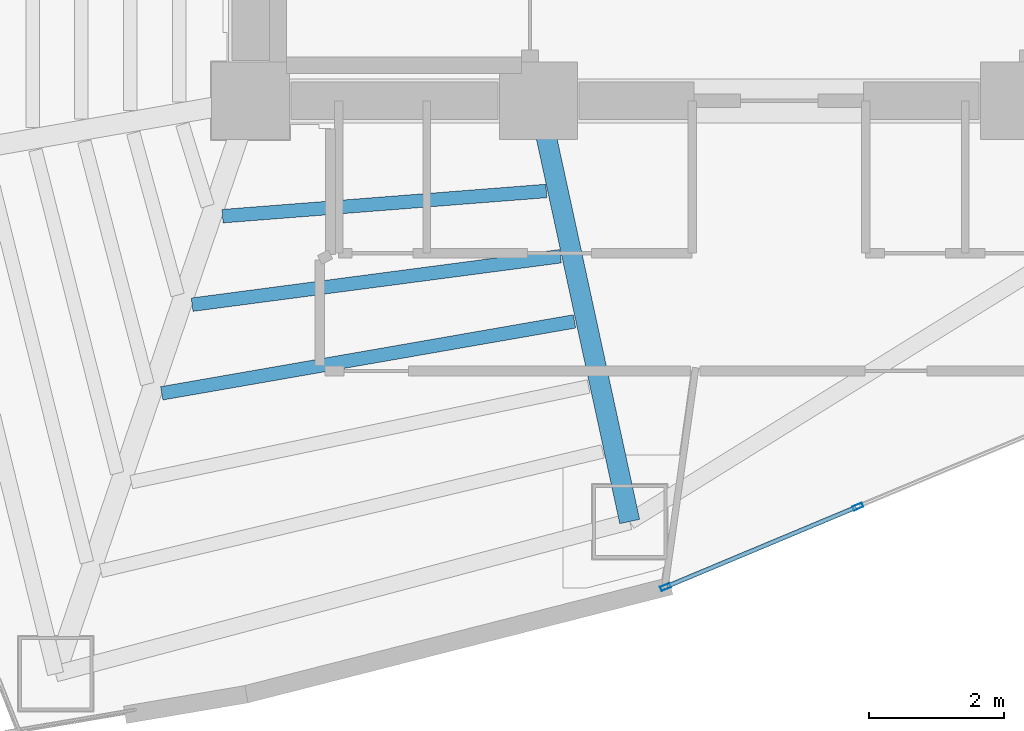
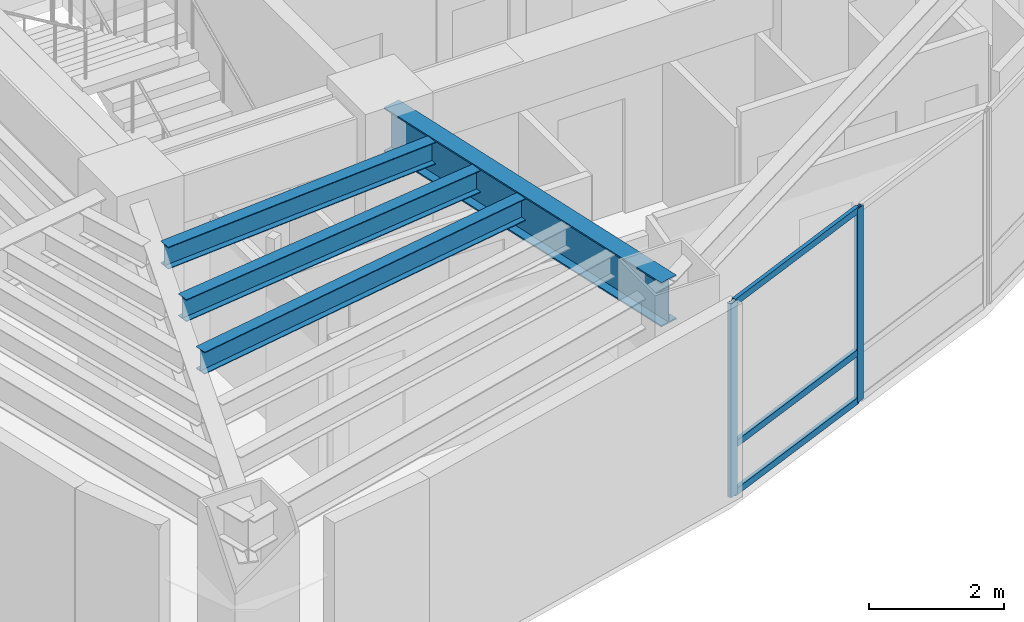
# One storey, part 2 of 15: 5 members, 4 beams, 1 element without a shape of its own.
"""IFC4 building model written with IfcOpenShell, lengths in metres."""

from ifc_helpers import new_model, si_unit, direction, frame, origin, origin_2d, place, context, subcontext, project, spatial, hollow_rectangle, i_section, extrude, material, layer, layer_set, material_profile, profile_set, type_object, element, aggregate, save


model = new_model("IFC4")

# Units and contexts
model_context = context("Model", 3, precision=1e-05, world=origin(), true_north=direction((0.0, 1.0)))
body_context = subcontext(model_context, "Body", "Model", "MODEL_VIEW")
ifc_project = project(units=[si_unit("LENGTHUNIT", "METRE"), si_unit("AREAUNIT", "SQUARE_METRE"), si_unit("VOLUMEUNIT", "CUBIC_METRE"), si_unit("PLANEANGLEUNIT", "RADIAN"), si_unit("MASSUNIT", "GRAM", prefix="KILO")], contexts=[model_context])

# Site, building, storey
site_placement = place(None, origin())
site = spatial("IfcSite", under=ifc_project, at=site_placement, CompositionType="ELEMENT")
building_placement = place(site_placement, origin())
building = spatial("IfcBuilding", under=site, at=building_placement, Name="Menara Vayukalpa", CompositionType="ELEMENT")
storey_placement = place(building_placement, frame((0.0, 0.0, 141.179931640625)))
storey = spatial("IfcBuildingStorey", under=building, at=storey_placement, Name="L35", CompositionType="ELEMENT", Elevation=141.179931640625)

# Beams
ifc_material_1 = material(Name="Steel S355", Category="steel")
ifc_material_profile_1 = material_profile(ifc_material_1, i_section(OverallWidth=0.300048828125, OverallDepth=0.800048828125, WebThickness=0.013916015625, FlangeThickness=0.02587890625, at=origin_2d()), Name="WF 800x300x14x26")
ifc_profile_set_1 = profile_set([ifc_material_profile_1], Name="Steel S355")
beam_type_1 = type_object("IfcBeamType", Name="BM-PG3", PredefinedType="BEAM", material=ifc_profile_set_1)
beam_1_placement = place(storey_placement, frame((22.10302734375, 16.955810546875, 3.10009765625), z_axis=(0.211898459532, -0.9772916877, 0.0), x_axis=(0.9772916877, 0.211898459532, 0.0)))
element("IfcBeam", 1, at=beam_1_placement, inside=storey, type_object=beam_type_1, Name="L35 Primary Radial Girder RG08", PredefinedType="BEAM", context=body_context, shape_type="SweptSolid", body=[
    extrude(i_section(OverallWidth=0.300048828125, OverallDepth=0.800048828125, WebThickness=0.013916015625, FlangeThickness=0.02587890625, at=origin_2d()), origin(), (0.0, 0.0, 1.0), 6.1064453125),
])
ifc_material_2 = material(Name="Steel S355", Category="steel")
ifc_material_profile_2 = material_profile(ifc_material_2, i_section(OverallWidth=0.199951171875, OverallDepth=0.39990234375, WebThickness=0.008056640625, FlangeThickness=0.012939453125, at=origin_2d()), Name="WF 400x200x8x13")
ifc_profile_set_2 = profile_set([ifc_material_profile_2], Name="Steel S355")
beam_type_2 = type_object("IfcBeamType", Name="BM-SJ2", PredefinedType="JOIST", material=ifc_profile_set_2)
beam_2_placement = place(storey_placement, frame((17.38525390625, 15.49609375, 3.300048828125), z_axis=(0.99698187454, 0.07763466905, 0.0), x_axis=(-0.07763466905, 0.99698187454, 0.0)))
element("IfcBeam", 2, at=beam_2_placement, inside=storey, type_object=beam_type_2, Name="L35 Secondary Floor Joist SJ07-1", PredefinedType="JOIST", context=body_context, shape_type="SweptSolid", body=[
    extrude(i_section(OverallWidth=0.199951171875, OverallDepth=0.39990234375, WebThickness=0.008056640625, FlangeThickness=0.012939453125, at=origin_2d()), origin(), (0.0, 0.0, 1.0), 4.795654296875),
])
beam_3_placement = place(storey_placement, frame((16.936279296875, 14.189453125, 3.300048828125), z_axis=(0.991465351363, 0.130370460792, 0.0), x_axis=(-0.130370460792, 0.991465351363, 0.0)))
element("IfcBeam", 3, at=beam_3_placement, inside=storey, type_object=beam_type_2, Name="L35 Secondary Floor Joist SJ07-2", PredefinedType="JOIST", context=body_context, shape_type="SweptSolid", body=[
    extrude(i_section(OverallWidth=0.199951171875, OverallDepth=0.39990234375, WebThickness=0.008056640625, FlangeThickness=0.012939453125, at=origin_2d()), origin(), (0.0, 0.0, 1.0), 5.485107421875),
])
beam_4_placement = place(storey_placement, frame((16.487548828125, 12.880615234375, 3.300048828125), z_axis=(0.98515667511, 0.171657582084, 0.0), x_axis=(-0.171657582084, 0.98515667511, 0.0)))
element("IfcBeam", 4, at=beam_4_placement, inside=storey, type_object=beam_type_2, Name="L35 Secondary Floor Joist SJ07-3", PredefinedType="JOIST", context=body_context, shape_type="SweptSolid", body=[
    extrude(i_section(OverallWidth=0.199951171875, OverallDepth=0.39990234375, WebThickness=0.008056640625, FlangeThickness=0.012939453125, at=origin_2d()), origin(), (0.0, 0.0, 1.0), 6.186767578125),
])

# Curtain wall, members
ifc_material_3 = material(Name="Anodised Terracotta Aluminium Alloy 6063-T6", Category="masonry")
ifc_layer = layer(ifc_material_3, 0.14990234375)
ifc_layer_set = layer_set([ifc_layer], Name="Anodised Terracotta Aluminium Alloy 6063-T6")
curtain_wall_type = type_object("IfcCurtainWallType", Name="CW-CW3", PredefinedType="USERDEFINED", material=ifc_layer_set)
curtain_wall_placement = place(storey_placement, origin())
curtain_wall = element("IfcCurtainWall", 5, at=curtain_wall_placement, inside=storey, type_object=curtain_wall_type, Name="L35 Mid Rise Terracotta Ribbon Curtain Wall CW3 16", ObjectType="UNITISED", PredefinedType="USERDEFINED")
ifc_material_4 = material(Name="Anodised Terracotta Aluminium Alloy 6063-T6", Category="masonry")
ifc_material_profile_3 = material_profile(ifc_material_4, hollow_rectangle(XDim=0.06494140625, YDim=0.14990234375, WallThickness=0.00341796875, at=origin_2d()), Name="ALU 65x150x3.5")
ifc_profile_set_3 = profile_set([ifc_material_profile_3], Name="Anodised Terracotta Aluminium Alloy 6063-T6")
member_type_1 = type_object("IfcMemberType", Name="CWM-CW3", PredefinedType="MULLION", material=ifc_profile_set_3)
member_1_placement = place(storey_placement, frame((23.926025390625, 10.020263671875, 0.0), z_axis=(0.0, 0.0, 1.0), x_axis=(-0.385886210456, 0.922546385056, 0.0)))
member_1 = element("IfcMember", 6, at=member_1_placement, type_object=member_type_1, Name="CW3 mullion 1", PredefinedType="MULLION", context=body_context, shape_type="SweptSolid", body=[
    extrude(hollow_rectangle(XDim=0.06494140625, YDim=0.14990234375, WallThickness=0.00341796875, at=origin_2d()), origin(), (0.0, 0.0, 1.0), 3.5),
])
member_2_placement = place(storey_placement, frame((26.766357421875, 11.20849609375, 0.0), z_axis=(0.0, 0.0, 1.0), x_axis=(-0.385886210456, 0.922546385056, 0.0)))
member_2 = element("IfcMember", 7, at=member_2_placement, type_object=member_type_1, Name="CW3 mullion 2", PredefinedType="MULLION", context=body_context, shape_type="SweptSolid", body=[
    extrude(hollow_rectangle(XDim=0.06494140625, YDim=0.14990234375, WallThickness=0.00341796875, at=origin_2d()), origin(), (0.0, 0.0, 1.0), 3.5),
])
ifc_material_5 = material(Name="Anodised Terracotta Aluminium Alloy 6063-T6", Category="masonry")
ifc_material_profile_4 = material_profile(ifc_material_5, hollow_rectangle(XDim=0.06494140625, YDim=0.1201171875, WallThickness=0.00341796875, at=origin_2d()), Name="ALU 65x120x3.5")
ifc_profile_set_4 = profile_set([ifc_material_profile_4], Name="Anodised Terracotta Aluminium Alloy 6063-T6")
member_type_2 = type_object("IfcMemberType", Name="CWT-CW3", PredefinedType="USERDEFINED", material=ifc_profile_set_4)
member_3_placement = place(storey_placement, frame((23.9560546875, 10.032958984375, 0.032470703125), z_axis=(0.922558380554, 0.385857531312, 0.0), x_axis=(-0.385857531312, 0.922558380554, 0.0)))
member_3 = element("IfcMember", 8, at=member_3_placement, type_object=member_type_2, Name="CW3 transom 1.1", ObjectType="TRANSOM", PredefinedType="USERDEFINED", context=body_context, shape_type="SweptSolid", body=[
    extrude(hollow_rectangle(XDim=0.06494140625, YDim=0.1201171875, WallThickness=0.00341796875, at=origin_2d()), origin(), (0.0, 0.0, 1.0), 3.013671875),
])
member_4_placement = place(storey_placement, frame((23.9560546875, 10.032958984375, 0.900146484375), z_axis=(0.922558380554, 0.385857531312, 0.0), x_axis=(-0.385857531312, 0.922558380554, 0.0)))
member_4 = element("IfcMember", 9, at=member_4_placement, type_object=member_type_2, Name="CW3 transom 1.2", ObjectType="TRANSOM", PredefinedType="USERDEFINED", context=body_context, shape_type="SweptSolid", body=[
    extrude(hollow_rectangle(XDim=0.06494140625, YDim=0.1201171875, WallThickness=0.00341796875, at=origin_2d()), origin(), (0.0, 0.0, 1.0), 3.013671875),
])
member_5_placement = place(storey_placement, frame((23.9560546875, 10.032958984375, 3.467529296875), z_axis=(0.922558380554, 0.385857531312, 0.0), x_axis=(-0.385857531312, 0.922558380554, 0.0)))
member_5 = element("IfcMember", 10, at=member_5_placement, type_object=member_type_2, Name="CW3 transom 1.3", ObjectType="TRANSOM", PredefinedType="USERDEFINED", context=body_context, shape_type="SweptSolid", body=[
    extrude(hollow_rectangle(XDim=0.06494140625, YDim=0.1201171875, WallThickness=0.00341796875, at=origin_2d()), origin(), (0.0, 0.0, 1.0), 3.013671875),
])
aggregate(curtain_wall, [member_1, member_2, member_3, member_4, member_5])

save(model, "model.ifc")
